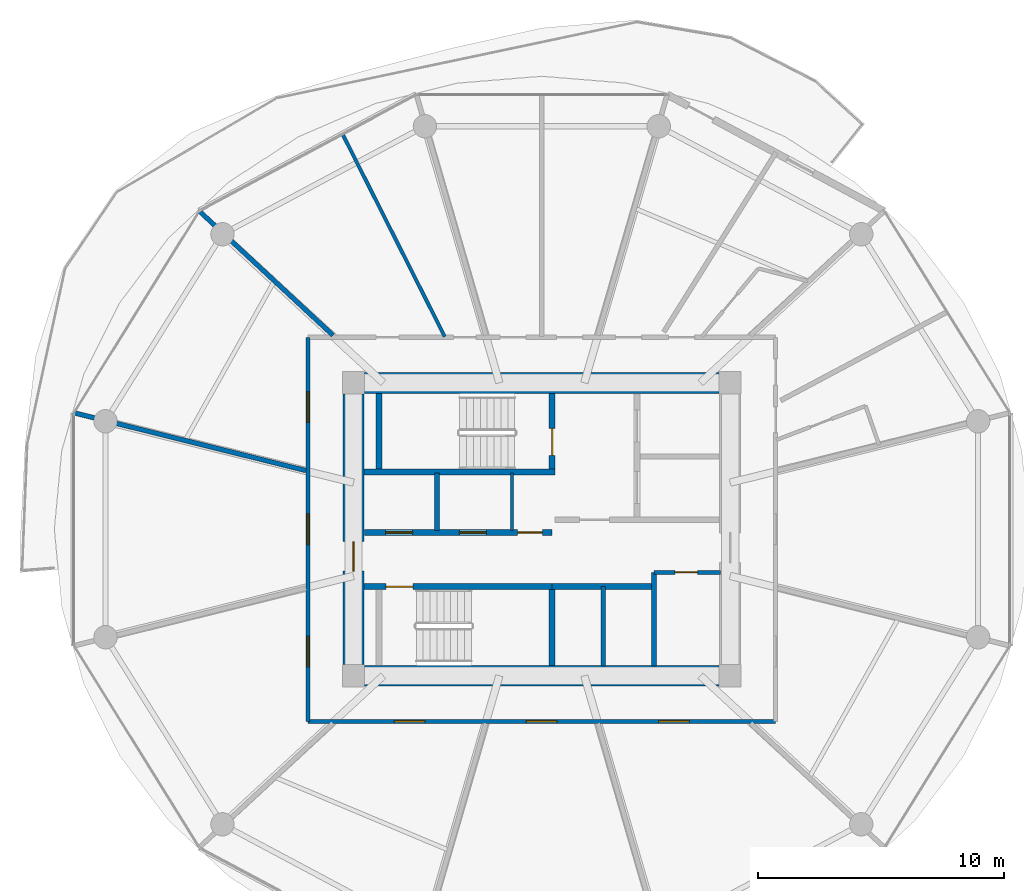
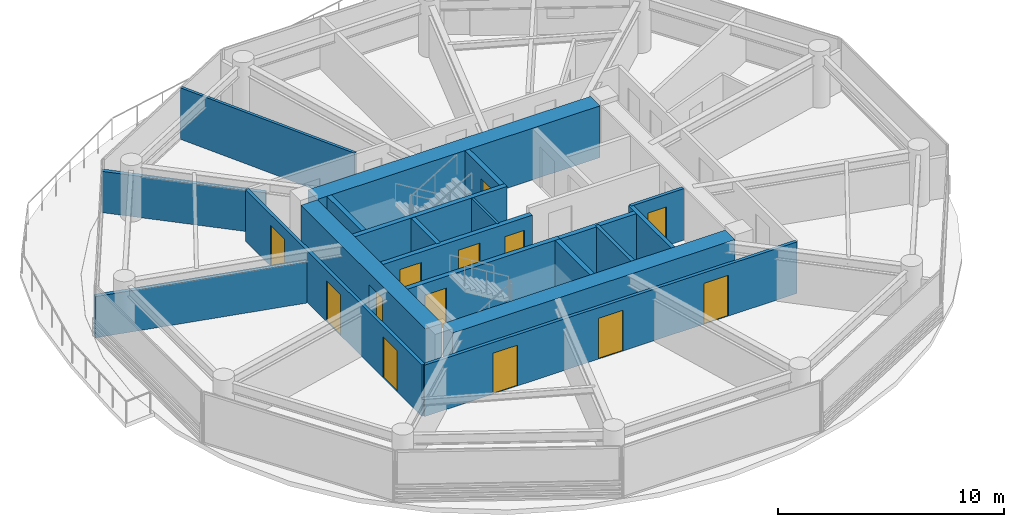
# One storey, part 15 of 25: 20 walls, 13 doors, 13 openings.
"""IFC4 building model written with IfcOpenShell, lengths in metres."""

import ifcopenshell
import ifcopenshell.guid

model = None  # the IFC model being written
_history = None  # IfcOwnerHistory: only IFC2X3 demands one
_inside = {}  # id of a spatial element -> (the spatial element, [elements in it])
_under = {}  # id of a project, library or spatial element -> (it, [spatial elements below it])
_declared = {}  # id of a project -> (the project, [libraries it declares])
_typed = {}  # id of a type object -> (the type object, [elements of that type])
_made_of = {}  # id of a material, layer set ... -> (it, [elements and type objects made of it])


def new_model(schema):
    """Start an empty IFC model of exactly this schema.

    Asked for "IFC4X3", IfcOpenShell would pick the latest addendum, in which some entities
    have other attributes; the version numbers below select the first issue.
    IFC2X3 requires an IfcOwnerHistory on every rooted entity: one is made here for all.
    """
    global model, _history
    if schema == "IFC4X3":
        model = ifcopenshell.file(schema_version=(4, 3, 0, 0))
    else:
        model = ifcopenshell.file(schema=schema)
    _inside.clear()
    _under.clear()
    _declared.clear()
    _typed.clear()
    _made_of.clear()
    _history = None
    if model.schema == "IFC2X3":
        org = make("IfcOrganization", Name="unknown")
        user = make(
            "IfcPersonAndOrganization",
            ThePerson=make("IfcPerson", FamilyName="unknown"),
            TheOrganization=org,
        )
        app = make(
            "IfcApplication",
            ApplicationDeveloper=org,
            Version="unknown",
            ApplicationFullName="unknown",
            ApplicationIdentifier="unknown",
        )
        _history = make(
            "IfcOwnerHistory",
            OwningUser=user,
            OwningApplication=app,
            ChangeAction="ADDED",
            CreationDate=0,
        )
    return model


def make(cls, **values):
    """One entity of the class cls with the attributes given. An attribute that is None is left unset."""
    return model.create_entity(
        cls, **{name: value for name, value in values.items() if value is not None}
    )


def rooted(cls, **values):
    """An entity with a GlobalId (a new one), such as an element, a storey or a relation."""
    return make(cls, GlobalId=ifcopenshell.guid.new(), OwnerHistory=_history, **values)


def si_unit(unit_type, name, prefix=None):
    """IfcSIUnit, for example si_unit("LENGTHUNIT", "METRE", prefix="MILLI")."""
    return make("IfcSIUnit", UnitType=unit_type, Prefix=prefix, Name=name)


def assignment(units):
    """IfcUnitAssignment: the units of a project."""
    return None if units is None else make("IfcUnitAssignment", Units=units)


def point(xyz):
    """IfcCartesianPoint."""
    return None if xyz is None else make("IfcCartesianPoint", Coordinates=xyz)


def direction(xyz):
    """IfcDirection."""
    return None if xyz is None else make("IfcDirection", DirectionRatios=xyz)


def frame(location, z_axis=None, x_axis=None):
    """IfcAxis2Placement3D, a coordinate frame: its origin and axes. An axis left out is left unset."""
    return make(
        "IfcAxis2Placement3D",
        Location=point(location),
        Axis=direction(z_axis),
        RefDirection=direction(x_axis),
    )


def frame_2d(location, x_axis=None):
    """IfcAxis2Placement2D, a coordinate frame in the plane: its origin and x axis."""
    return make(
        "IfcAxis2Placement2D", Location=point(location), RefDirection=direction(x_axis)
    )


def origin():
    """The frame at (0, 0, 0) with its axes left unset."""
    return frame((0.0, 0.0, 0.0))


def place(relative_to, where):
    """IfcLocalPlacement: puts the frame where relative to a parent placement (None: the world)."""
    return make(
        "IfcLocalPlacement", PlacementRelTo=relative_to, RelativePlacement=where
    )


def context(
    kind, dimensions, precision=None, world=None, true_north=None, identifier=None
):
    """IfcGeometricRepresentationContext, for example the 3D "Model" context."""
    return make(
        "IfcGeometricRepresentationContext",
        ContextIdentifier=identifier,
        ContextType=kind,
        CoordinateSpaceDimension=dimensions,
        Precision=precision,
        WorldCoordinateSystem=world,
        TrueNorth=true_north,
    )


def subcontext(parent, identifier, kind, view, scale=None):
    """IfcGeometricRepresentationSubContext, for example "Body" below "Model"."""
    return make(
        "IfcGeometricRepresentationSubContext",
        ContextIdentifier=identifier,
        ContextType=kind,
        ParentContext=parent,
        TargetScale=scale,
        TargetView=view,
    )


def project(units=None, contexts=None):
    """IfcProject with its units and contexts."""
    return rooted(
        "IfcProject",
        Name="project",
        RepresentationContexts=contexts,
        UnitsInContext=assignment(units),
    )


def spatial(cls, under=None, at=None, **own):
    """A site, building, storey or space (cls), placed at a placement, below another one or the project."""
    s = rooted(cls, ObjectPlacement=at, **own)
    if under is not None:
        _under.setdefault(under.id(), (under, []))[1].append(s)
    return s


def profile(cls, at=None, kind="AREA", **sizes):
    """A parametric profile (cls). Its sizes go by their IFC names, for example OverallWidth=200.0."""
    return make(cls, ProfileType=kind, Position=at, **sizes)


def rectangle(**sizes):
    """IfcRectangleProfileDef."""
    return profile("IfcRectangleProfileDef", **sizes)


def extrude(swept, where, along, depth):
    """IfcExtrudedAreaSolid: the profile swept, set in the frame where, extruded along a direction by depth."""
    return make(
        "IfcExtrudedAreaSolid",
        SweptArea=swept,
        Position=where,
        ExtrudedDirection=direction(along),
        Depth=depth,
    )


def shape(context_of_items, identifier, shape_type, items):
    """IfcShapeRepresentation: the items that make up one representation, for example the "Body"."""
    return make(
        "IfcShapeRepresentation",
        ContextOfItems=context_of_items,
        RepresentationIdentifier=identifier,
        RepresentationType=shape_type,
        Items=items,
    )


def source(mapping_origin, context_of_items, identifier, shape_type, items):
    """IfcRepresentationMap: a shape defined once, which mapped items show again and again."""
    return make(
        "IfcRepresentationMap",
        MappingOrigin=mapping_origin,
        MappedRepresentation=shape(context_of_items, identifier, shape_type, items),
    )


def transform(
    local_origin,
    x_axis=None,
    y_axis=None,
    z_axis=None,
    scale=None,
    scale2=None,
    scale3=None,
    uniform=True,
):
    """IfcCartesianTransformationOperator3D, or its non-uniform kind. x_axis, y_axis, z_axis: its Axis1, 2, 3."""
    if uniform:
        return make(
            "IfcCartesianTransformationOperator3D",
            Axis1=direction(x_axis),
            Axis2=direction(y_axis),
            LocalOrigin=point(local_origin),
            Scale=scale,
            Axis3=direction(z_axis),
        )
    return make(
        "IfcCartesianTransformationOperator3DnonUniform",
        Axis1=direction(x_axis),
        Axis2=direction(y_axis),
        LocalOrigin=point(local_origin),
        Scale=scale,
        Axis3=direction(z_axis),
        Scale2=scale2,
        Scale3=scale3,
    )


def mapped(mapping_source, mapping_target):
    """IfcMappedItem: shows the shape of a source again, moved by a transform."""
    return make(
        "IfcMappedItem", MappingSource=mapping_source, MappingTarget=mapping_target
    )


def material(Name=None, Category=None):
    """IfcMaterial."""
    return make("IfcMaterial", Name=Name, Category=Category)


def layer(
    of_material, thickness, ventilated=None, Name=None, Category=None, Priority=None
):
    """IfcMaterialLayer: one layer of a wall or slab, of a material (None: an air gap)."""
    return make(
        "IfcMaterialLayer",
        Material=of_material,
        LayerThickness=thickness,
        IsVentilated=ventilated,
        Name=Name,
        Category=Category,
        Priority=Priority,
    )


def layer_set(layers, Name=None):
    """IfcMaterialLayerSet."""
    return make("IfcMaterialLayerSet", MaterialLayers=layers, LayerSetName=Name)


def made_of(thing, what):
    """Note that an element or type object is made of a material, layer set ...; save() writes the relation."""
    if what is not None:
        _made_of.setdefault(what.id(), (what, []))[1].append(thing)
    return thing


def type_object(cls, material=None, **own):
    """A type object (cls), such as IfcWallType, which elements share."""
    return made_of(rooted(cls, **own), material)


def type_shapes(of_type, sources):
    """Give a type object the sources (RepresentationMaps) that its elements show as mapped items."""
    of_type.RepresentationMaps = sources


def element(
    cls,
    number,
    at=None,
    inside=None,
    cuts=None,
    type_object=None,
    material=None,
    context=None,
    identifier="Body",
    shape_type=None,
    held_by="IfcProductDefinitionShape",
    body=None,
    shapes=None,
    **own,
):
    """One element of the class cls, such as IfcWall. Its Tag is "e" and its number.

    at: its placement. inside: the storey or other place that contains it. cuts: it is an
    opening in that element (IfcRelVoidsElement). A single representation is given by context,
    identifier, shape_type and body (its items); several are given by shapes. held_by: the class
    of the entity that holds the representations. save() writes the other relations.
    """
    e = rooted(cls, Tag="e%d" % number, ObjectPlacement=at, **own)
    if body is not None:
        shapes = [shape(context, identifier, shape_type, body)]
    if shapes is not None:
        e.Representation = make(held_by, Representations=shapes)
    if inside is not None:
        _inside.setdefault(inside.id(), (inside, []))[1].append(e)
    if cuts is not None:
        rooted(
            "IfcRelVoidsElement", RelatingBuildingElement=cuts, RelatedOpeningElement=e
        )
    if type_object is not None:
        _typed.setdefault(type_object.id(), (type_object, []))[1].append(e)
    return made_of(e, material)


def fill(opening, filler):
    """IfcRelFillsElement: the door or window that sits in an opening."""
    return rooted(
        "IfcRelFillsElement",
        RelatingOpeningElement=opening,
        RelatedBuildingElement=filler,
    )


def aggregate(whole, parts):
    """IfcRelAggregates: a whole, such as a stair, and the parts it consists of."""
    return rooted("IfcRelAggregates", RelatingObject=whole, RelatedObjects=parts)


def save(model, path):
    """Write the relations noted so far, then the file.

    IfcRelAggregates (storeys below a building ...), IfcRelContainedInSpatialStructure (elements
    in a storey), IfcRelDefinesByType, IfcRelAssociatesMaterial and IfcRelDeclares: one each for
    every whole, place, type object, material and project.
    """
    for whole, parts in _under.values():
        aggregate(whole, parts)
    for where, things in _inside.values():
        rooted(
            "IfcRelContainedInSpatialStructure",
            RelatedElements=things,
            RelatingStructure=where,
        )
    for kind, things in _typed.values():
        rooted("IfcRelDefinesByType", RelatedObjects=things, RelatingType=kind)
    for what, things in _made_of.values():
        rooted("IfcRelAssociatesMaterial", RelatedObjects=things, RelatingMaterial=what)
    for by, libraries in _declared.values():
        rooted("IfcRelDeclares", RelatingContext=by, RelatedDefinitions=libraries)
    model.write(path)


model = new_model("IFC4")

# Units and contexts
model_context = context("Model", 3, precision=1e-05, world=origin(), true_north=direction((0.0, 1.0)))
body_context = subcontext(model_context, "Body", "Model", "MODEL_VIEW")
ifc_project = project(units=[si_unit("LENGTHUNIT", "METRE"), si_unit("AREAUNIT", "SQUARE_METRE"), si_unit("VOLUMEUNIT", "CUBIC_METRE"), si_unit("PLANEANGLEUNIT", "RADIAN"), si_unit("MASSUNIT", "GRAM", prefix="KILO")], contexts=[model_context])

# Site, building, storey
site_placement = place(None, origin())
site = spatial("IfcSite", under=ifc_project, at=site_placement, CompositionType="ELEMENT")
building_placement = place(site_placement, origin())
building = spatial("IfcBuilding", under=site, at=building_placement, Name="Norrkilde Senior Care Towers", CompositionType="ELEMENT")
storey_placement = place(building_placement, frame((0.0, 0.0, 27.699951171875)))
storey = spatial("IfcBuildingStorey", under=building, at=storey_placement, Name="L07", CompositionType="ELEMENT", Elevation=27.699951171875)

# Walls
ifc_material_1 = material(Name="Concrete C60/75", Category="concrete")
ifc_layer_1 = layer(ifc_material_1, 0.85009765625)
ifc_layer_set_1 = layer_set([ifc_layer_1], Name="Concrete C60/75")
wall_type_1 = type_object("IfcWallType", Name="Core Shear Wall Z1 850", PredefinedType="SHEAR", material=ifc_layer_set_1)
shared_shape_1 = source(origin(), body_context, "Body", "SweptSolid", [
    extrude(rectangle(XDim=14.39990234375, YDim=0.85009765625, at=frame_2d((7.199951171875, 0.0))), origin(), (0.0, 0.0, 1.0), 2.7900390625),
])
for number, where, z_axis, x_axis, name in (
    (1, (-35.199951171875, 5.949951171875, 0.0), (0.0, 0.0, 1.0), (1.0, 0.0, 0.0), "L07 Core W North Shear Wall"),
    (2, (-20.800048828125, -5.949951171875, 0.0), (0.0, 0.0, 1.0), (-1.0, 0.0, 0.0), "L07 Core W South Shear Wall"),
):
    element("IfcWall", number, at=place(storey_placement, frame(where, z_axis=z_axis, x_axis=x_axis)), inside=storey, type_object=wall_type_1, Name=name, PredefinedType="SHEAR", context=body_context, shape_type="MappedRepresentation", body=[
        mapped(shared_shape_1, transform((0.0, 0.0, 0.0), x_axis=(1.0, 0.0, 0.0), y_axis=(0.0, 1.0, 0.0), z_axis=(0.0, 0.0, 1.0), scale=1.0)),
    ])

# Wall, opening, door
shared_shape_2 = source(origin(), body_context, "Body", "SweptSolid", [
    extrude(rectangle(XDim=11.0, YDim=0.85009765625, at=frame_2d((5.5, 0.0))), origin(), (0.0, 0.0, 1.0), 2.7900390625),
])
type_shapes(wall_type_1, [shared_shape_1, shared_shape_2])
wall_1_placement = place(storey_placement, frame((-35.64990234375, -5.5, 0.0), z_axis=(0.0, 0.0, 1.0), x_axis=(0.0, 1.0, 0.0)))
wall_1 = element("IfcWall", 3, at=wall_1_placement, inside=storey, type_object=wall_type_1, Name="L07 Core W West Shear Wall", PredefinedType="SHEAR", context=body_context, shape_type="MappedRepresentation", body=[
    mapped(shared_shape_2, transform((0.0, 0.0, 0.0), x_axis=(1.0, 0.0, 0.0), y_axis=(0.0, 1.0, 0.0), z_axis=(0.0, 0.0, 1.0), scale=1.0)),
])
opening_1_placement = place(wall_1_placement, frame((3.800048828125, 0.0, 0.0)))
opening_1 = element("IfcOpeningElement", 4, at=opening_1_placement, cuts=wall_1, Name="Opening D-04", PredefinedType="OPENING", context=body_context, shape_type="SweptSolid", body=[
    extrude(rectangle(XDim=1.199951171875, YDim=2.14990234375, at=frame_2d((0.60009765625, 1.074951171875))), frame((0.0, 0.43505859375, 0.0), z_axis=(0.0, -1.0, 0.0), x_axis=(1.0, 0.0, 0.0)), (0.0, 0.0, 1.0), 0.8701171875),
])
ifc_material_2 = material(Name="Galvanised Painted Steel", Category="steel")
door_type_1 = type_object("IfcDoorType", Name="Firefighting Lobby Fire Door 1200x2150", OperationType="NOTDEFINED", PredefinedType="DOOR", material=ifc_material_2)
shared_shape_3 = source(origin(), body_context, "Body", "SweptSolid", [
    extrude(rectangle(XDim=1.199951171875, YDim=2.14990234375, at=frame_2d((0.60009765625, 1.074951171875))), frame((0.0, 0.02490234375, 0.0), z_axis=(0.0, -1.0, 0.0), x_axis=(1.0, 0.0, 0.0)), (0.0, 0.0, 1.0), 0.050048828125),
])
type_shapes(door_type_1, [shared_shape_3])
door_1_placement = place(opening_1_placement, frame((1.199951171875, 0.0, 0.0), z_axis=(0.0, 0.0, 1.0), x_axis=(-1.0, 0.0, 0.0)))
door_1 = element("IfcDoor", 5, at=door_1_placement, inside=storey, type_object=door_type_1, Name="L07 Core W West Portal Door", OperationType="SINGLE_SWING_LEFT", OverallHeight=2.14990234375, OverallWidth=1.199951171875, PredefinedType="DOOR", context=body_context, shape_type="MappedRepresentation", body=[
    mapped(shared_shape_3, transform((0.0, 0.0, 0.0), x_axis=(1.0, 0.0, 0.0), y_axis=(0.0, 1.0, 0.0), z_axis=(0.0, 0.0, 1.0), scale=1.0)),
])
fill(opening_1, door_1)

# Wall
ifc_material_3 = material(Name="Concrete C45/55", Category="concrete")
ifc_layer_2 = layer(ifc_material_3, 0.239990234375)
ifc_layer_set_2 = layer_set([ifc_layer_2], Name="Concrete C45/55")
wall_type_2 = type_object("IfcWallType", Name="Shaft and Stair Enclosure Wall 240", PredefinedType="PARTITIONING", material=ifc_layer_set_2)
shared_shape_4 = source(origin(), body_context, "Body", "SweptSolid", [
    extrude(rectangle(XDim=7.76513671875, YDim=0.239990234375, at=frame_2d((3.882568359375, 0.0))), origin(), (0.0, 0.0, 1.0), 2.7900390625),
])
wall_2_placement = place(storey_placement, frame((-35.22509765625, 2.330078125, 0.0), z_axis=(0.0, 0.0, 1.0), x_axis=(1.0, 0.0, 0.0)))
element("IfcWall", 6, at=wall_2_placement, inside=storey, type_object=wall_type_2, Name="WL-INT-L07-W-ST1S", PredefinedType="PARTITIONING", context=body_context, shape_type="MappedRepresentation", body=[
    mapped(shared_shape_4, transform((0.0, 0.0, 0.0), x_axis=(1.0, 0.0, 0.0), y_axis=(0.0, 1.0, 0.0), z_axis=(0.0, 0.0, 1.0), scale=1.0)),
])

# Wall, opening, door
wall_3_placement = place(storey_placement, frame((-35.22509765625, -2.330078125, 0.0), z_axis=(0.0, 0.0, 1.0), x_axis=(1.0, 0.0, 0.0)))
wall_3 = element("IfcWall", 7, at=wall_3_placement, inside=storey, type_object=wall_type_2, Name="WL-INT-L07-W-ST2N", PredefinedType="PARTITIONING", context=body_context, shape_type="MappedRepresentation", body=[
    mapped(shared_shape_4, transform((0.0, 0.0, 0.0), x_axis=(1.0, 0.0, 0.0), y_axis=(0.0, 1.0, 0.0), z_axis=(0.0, 0.0, 1.0), scale=1.0)),
])
opening_2_placement = place(wall_3_placement, frame((0.885009765625, 0.0, 0.0)))
opening_2 = element("IfcOpeningElement", 8, at=opening_2_placement, cuts=wall_3, Name="Opening D-03", PredefinedType="OPENING", context=body_context, shape_type="SweptSolid", body=[
    extrude(rectangle(XDim=1.10009765625, YDim=2.14990234375, at=frame_2d((0.550048828125, 1.074951171875))), frame((0.0, 0.1298828125, 0.0), z_axis=(0.0, -1.0, 0.0), x_axis=(1.0, 0.0, 0.0)), (0.0, 0.0, 1.0), 0.260009765625),
])
door_type_2 = type_object("IfcDoorType", Name="Stairwell Protected Fire Door 1100x2150", OperationType="NOTDEFINED", PredefinedType="DOOR", material=ifc_material_2)
shared_shape_5 = source(origin(), body_context, "Body", "SweptSolid", [
    extrude(rectangle(XDim=1.10009765625, YDim=2.14990234375, at=frame_2d((0.550048828125, 1.074951171875))), frame((0.0, 0.02490234375, 0.0), z_axis=(0.0, -1.0, 0.0), x_axis=(1.0, 0.0, 0.0)), (0.0, 0.0, 1.0), 0.050048828125),
])
type_shapes(door_type_2, [shared_shape_5])
door_2_placement = place(opening_2_placement, frame((1.10009765625, 0.0, 0.0), z_axis=(0.0, 0.0, 1.0), x_axis=(-1.0, 0.0, 0.0)))
door_2 = element("IfcDoor", 9, at=door_2_placement, inside=storey, type_object=door_type_2, Name="L07 Stair W2 Fire Door", OperationType="SINGLE_SWING_RIGHT", OverallHeight=2.14990234375, OverallWidth=1.10009765625, PredefinedType="DOOR", context=body_context, shape_type="MappedRepresentation", body=[
    mapped(shared_shape_5, transform((0.0, 0.0, 0.0), x_axis=(1.0, 0.0, 0.0), y_axis=(0.0, 1.0, 0.0), z_axis=(0.0, 0.0, 1.0), scale=1.0)),
])
fill(opening_2, door_2)

# Wall
shared_shape_6 = source(origin(), body_context, "Body", "SweptSolid", [
    extrude(rectangle(XDim=3.074951171875, YDim=0.239990234375, at=frame_2d((1.53759765625, 0.0))), origin(), (0.0, 0.0, 1.0), 2.7900390625),
])
type_shapes(wall_type_2, [shared_shape_4, shared_shape_6])
wall_4_placement = place(storey_placement, frame((-34.6201171875, 2.449951171875, 0.0), z_axis=(0.0, 0.0, 1.0), x_axis=(0.0, 1.0, 0.0)))
element("IfcWall", 10, at=wall_4_placement, inside=storey, type_object=wall_type_2, Name="WL-INT-L07-W-ST1W", PredefinedType="PARTITIONING", context=body_context, shape_type="MappedRepresentation", body=[
    mapped(shared_shape_6, transform((0.0, 0.0, 0.0), x_axis=(1.0, 0.0, 0.0), y_axis=(0.0, 1.0, 0.0), z_axis=(0.0, 0.0, 1.0), scale=1.0)),
])

# Wall, opening, door
wall_5_placement = place(storey_placement, frame((-27.580078125, 2.449951171875, 0.0), z_axis=(0.0, 0.0, 1.0), x_axis=(0.0, 1.0, 0.0)))
wall_5 = element("IfcWall", 11, at=wall_5_placement, inside=storey, type_object=wall_type_2, Name="WL-INT-L07-W-ST1E", PredefinedType="PARTITIONING", context=body_context, shape_type="MappedRepresentation", body=[
    mapped(shared_shape_6, transform((0.0, 0.0, 0.0), x_axis=(1.0, 0.0, 0.0), y_axis=(0.0, 1.0, 0.0), z_axis=(0.0, 0.0, 1.0), scale=1.0)),
])
opening_3_placement = place(wall_5_placement, frame((0.550048828125, 0.0, 0.0)))
opening_3 = element("IfcOpeningElement", 12, at=opening_3_placement, cuts=wall_5, Name="Opening D-03", PredefinedType="OPENING", context=body_context, shape_type="SweptSolid", body=[
    extrude(rectangle(XDim=1.10009765625, YDim=2.14990234375, at=frame_2d((0.550048828125, 1.074951171875))), frame((0.0, 0.1298828125, 0.0), z_axis=(0.0, -1.0, 0.0), x_axis=(1.0, 0.0, 0.0)), (0.0, 0.0, 1.0), 0.260009765625),
])
door_3_placement = place(opening_3_placement, origin())
door_3 = element("IfcDoor", 13, at=door_3_placement, inside=storey, type_object=door_type_2, Name="L07 Stair W1 Fire Door", OperationType="SINGLE_SWING_LEFT", OverallHeight=2.14990234375, OverallWidth=1.10009765625, PredefinedType="DOOR", context=body_context, shape_type="MappedRepresentation", body=[
    mapped(shared_shape_5, transform((0.0, 0.0, 0.0), x_axis=(1.0, 0.0, 0.0), y_axis=(0.0, 1.0, 0.0), z_axis=(0.0, 0.0, 1.0), scale=1.0)),
])
fill(opening_3, door_3)

# Wall
wall_6_placement = place(storey_placement, frame((-27.580078125, -5.52490234375, 0.0), z_axis=(0.0, 0.0, 1.0), x_axis=(0.0, 1.0, 0.0)))
element("IfcWall", 14, at=wall_6_placement, inside=storey, type_object=wall_type_2, Name="WL-INT-L07-W-ST2E", PredefinedType="PARTITIONING", context=body_context, shape_type="MappedRepresentation", body=[
    mapped(shared_shape_6, transform((0.0, 0.0, 0.0), x_axis=(1.0, 0.0, 0.0), y_axis=(0.0, 1.0, 0.0), z_axis=(0.0, 0.0, 1.0), scale=1.0)),
])

# Wall, openings, doors
ifc_layer_3 = layer(ifc_material_3, 0.239990234375)
ifc_layer_set_3 = layer_set([ifc_layer_3], Name="Concrete C45/55")
wall_type_3 = type_object("IfcWallType", Name="Lift and Plant Rated Enclosure Partition 240", PredefinedType="PARTITIONING", material=ifc_layer_set_3)
shared_shape_7 = source(origin(), body_context, "Body", "SweptSolid", [
    extrude(rectangle(XDim=7.619873046875, YDim=0.239990234375, at=frame_2d((3.81005859375, 0.0))), origin(), (0.0, 0.0, 1.0), 2.775146484375),
])
wall_7_placement = place(storey_placement, frame((-35.199951171875, -0.1298828125, 0.0), z_axis=(0.0, 0.0, 1.0), x_axis=(1.0, 0.0, 0.0)))
wall_7 = element("IfcWall", 15, at=wall_7_placement, inside=storey, type_object=wall_type_3, Name="WL-INT-L07-W-PKAS", PredefinedType="PARTITIONING", context=body_context, shape_type="MappedRepresentation", body=[
    mapped(shared_shape_7, transform((0.0, 0.0, 0.0), x_axis=(1.0, 0.0, 0.0), y_axis=(0.0, 1.0, 0.0), z_axis=(0.0, 0.0, 1.0), scale=1.0)),
])
opening_4_placement = place(wall_7_placement, frame((6.219970703125, 0.0, 0.0)))
opening_4 = element("IfcOpeningElement", 16, at=opening_4_placement, cuts=wall_7, Name="Opening D-10", PredefinedType="OPENING", context=body_context, shape_type="SweptSolid", body=[
    extrude(rectangle(XDim=1.0, YDim=2.10009765625, at=frame_2d((0.5, 1.050048828125))), frame((0.0, 0.1298828125, 0.0), z_axis=(0.0, -1.0, 0.0), x_axis=(1.0, 0.0, 0.0)), (0.0, 0.0, 1.0), 0.260009765625),
])
opening_5_placement = place(wall_7_placement, frame((0.85009765625, 0.0, 0.0)))
opening_5 = element("IfcOpeningElement", 17, at=opening_5_placement, cuts=wall_7, Name="Opening LD-01", PredefinedType="OPENING", context=body_context, shape_type="SweptSolid", body=[
    extrude(rectangle(XDim=1.10009765625, YDim=2.199951171875, at=frame_2d((0.550048828125, 1.10009765625))), frame((0.0, 0.1298828125, 0.0), z_axis=(0.0, -1.0, 0.0), x_axis=(1.0, 0.0, 0.0)), (0.0, 0.0, 1.0), 0.260009765625),
])
opening_6_placement = place(wall_7_placement, frame((3.85009765625, 0.0, 0.0)))
opening_6 = element("IfcOpeningElement", 18, at=opening_6_placement, cuts=wall_7, Name="Opening LD-01", PredefinedType="OPENING", context=body_context, shape_type="SweptSolid", body=[
    extrude(rectangle(XDim=1.10009765625, YDim=2.199951171875, at=frame_2d((0.550048828125, 1.10009765625))), frame((0.0, 0.1298828125, 0.0), z_axis=(0.0, -1.0, 0.0), x_axis=(1.0, 0.0, 0.0)), (0.0, 0.0, 1.0), 0.260009765625),
])
door_type_3 = type_object("IfcDoorType", Name="Plant and Riser Rated Door 1000x2100", OperationType="NOTDEFINED", PredefinedType="DOOR", material=ifc_material_2)
shared_shape_8 = source(origin(), body_context, "Body", "SweptSolid", [
    extrude(rectangle(XDim=1.0, YDim=2.10009765625, at=frame_2d((0.5, 1.050048828125))), frame((0.0, 0.02490234375, 0.0), z_axis=(0.0, -1.0, 0.0), x_axis=(1.0, 0.0, 0.0)), (0.0, 0.0, 1.0), 0.050048828125),
])
type_shapes(door_type_3, [shared_shape_8])
door_4_placement = place(opening_4_placement, frame((1.0, 0.0, 0.0), z_axis=(0.0, 0.0, 1.0), x_axis=(-1.0, 0.0, 0.0)))
door_4 = element("IfcDoor", 19, at=door_4_placement, inside=storey, type_object=door_type_3, Name="L07 Electrical Riser W Door", OperationType="SINGLE_SWING_LEFT", OverallHeight=2.10009765625, OverallWidth=1.0, PredefinedType="DOOR", context=body_context, shape_type="MappedRepresentation", body=[
    mapped(shared_shape_8, transform((0.0, 0.0, 0.0), x_axis=(1.0, 0.0, 0.0), y_axis=(0.0, 1.0, 0.0), z_axis=(0.0, 0.0, 1.0), scale=1.0)),
])
fill(opening_4, door_4)
ifc_material_4 = material(Name="Stainless Steel", Category="steel")
door_type_4 = type_object("IfcDoorType", Name="Lift Landing Sliding Door 1100x2200", OperationType="NOTDEFINED", PredefinedType="DOOR", material=ifc_material_4)
shared_shape_9 = source(origin(), body_context, "Body", "SweptSolid", [
    extrude(rectangle(XDim=1.10009765625, YDim=2.199951171875, at=frame_2d((0.550048828125, 1.10009765625))), frame((0.0, 0.02490234375, 0.0), z_axis=(0.0, -1.0, 0.0), x_axis=(1.0, 0.0, 0.0)), (0.0, 0.0, 1.0), 0.050048828125),
])
type_shapes(door_type_4, [shared_shape_9])
door_5_placement = place(opening_5_placement, origin())
door_5 = element("IfcDoor", 20, at=door_5_placement, inside=storey, type_object=door_type_4, Name="L07 Passenger Lift W1 Landing Door", OperationType="SLIDING_TO_LEFT", OverallHeight=2.199951171875, OverallWidth=1.10009765625, PredefinedType="DOOR", context=body_context, shape_type="MappedRepresentation", body=[
    mapped(shared_shape_9, transform((0.0, 0.0, 0.0), x_axis=(1.0, 0.0, 0.0), y_axis=(0.0, 1.0, 0.0), z_axis=(0.0, 0.0, 1.0), scale=1.0)),
])
fill(opening_5, door_5)
door_6_placement = place(opening_6_placement, origin())
door_6 = element("IfcDoor", 21, at=door_6_placement, inside=storey, type_object=door_type_4, Name="L07 Passenger Lift W2 Landing Door", OperationType="SLIDING_TO_RIGHT", OverallHeight=2.199951171875, OverallWidth=1.10009765625, PredefinedType="DOOR", context=body_context, shape_type="MappedRepresentation", body=[
    mapped(shared_shape_9, transform((0.0, 0.0, 0.0), x_axis=(1.0, 0.0, 0.0), y_axis=(0.0, 1.0, 0.0), z_axis=(0.0, 0.0, 1.0), scale=1.0)),
])
fill(opening_6, door_6)

# Walls
ifc_material_5 = material(Name="Gypsum Acoustic Board")
ifc_layer_4 = layer(ifc_material_5, 0.114990234375)
ifc_layer_set_4 = layer_set([ifc_layer_4], Name="Gypsum Acoustic Board")
wall_type_4 = type_object("IfcWallType", Name="Internal Room Partition 115", PredefinedType="PARTITIONING", material=ifc_layer_set_4)
shared_shape_10 = source(origin(), body_context, "Body", "SweptSolid", [
    extrude(rectangle(XDim=2.330078125, YDim=0.114990234375, at=frame_2d((1.1650390625, 0.0))), origin(), (0.0, 0.0, 1.0), 2.775146484375),
])
type_shapes(wall_type_4, [shared_shape_10])
wall_8_placement = place(storey_placement, frame((-29.2099609375, -0.050048828125, 0.0), z_axis=(0.0, 0.0, 1.0), x_axis=(0.0, 1.0, 0.0)))
element("IfcWall", 22, at=wall_8_placement, inside=storey, type_object=wall_type_4, Name="WL-INT-L07-W-RISW", PredefinedType="PARTITIONING", context=body_context, shape_type="MappedRepresentation", body=[
    mapped(shared_shape_10, transform((0.0, 0.0, 0.0), x_axis=(1.0, 0.0, 0.0), y_axis=(0.0, 1.0, 0.0), z_axis=(0.0, 0.0, 1.0), scale=1.0)),
])
ifc_layer_5 = layer(ifc_material_3, 0.199951171875)
ifc_layer_set_5 = layer_set([ifc_layer_5], Name="Concrete C45/55")
wall_type_5 = type_object("IfcWallType", Name="Shaft Division and Plant Partition 200", PredefinedType="PARTITIONING", material=ifc_layer_set_5)
shared_shape_11 = source(origin(), body_context, "Body", "SweptSolid", [
    extrude(rectangle(XDim=2.330078125, YDim=0.199951171875, at=frame_2d((1.1650390625, 0.0))), origin(), (0.0, 0.0, 1.0), 2.775146484375),
])
wall_9_placement = place(storey_placement, frame((-32.25, -0.050048828125, 0.0), z_axis=(0.0, 0.0, 1.0), x_axis=(0.0, 1.0, 0.0)))
element("IfcWall", 23, at=wall_9_placement, inside=storey, type_object=wall_type_5, Name="WL-INT-L07-W-PL12", PredefinedType="PARTITIONING", context=body_context, shape_type="MappedRepresentation", body=[
    mapped(shared_shape_11, transform((0.0, 0.0, 0.0), x_axis=(1.0, 0.0, 0.0), y_axis=(0.0, 1.0, 0.0), z_axis=(0.0, 0.0, 1.0), scale=1.0)),
])
shared_shape_12 = source(origin(), body_context, "Body", "SweptSolid", [
    extrude(rectangle(XDim=3.800048828125, YDim=0.199951171875, at=frame_2d((1.89990234375, 0.0))), origin(), (0.0, 0.0, 1.0), 2.775146484375),
])
type_shapes(wall_type_5, [shared_shape_11, shared_shape_12])
wall_10_placement = place(storey_placement, frame((-23.449951171875, -5.550048828125, 0.0), z_axis=(0.0, 0.0, 1.0), x_axis=(0.0, 1.0, 0.0)))
element("IfcWall", 24, at=wall_10_placement, inside=storey, type_object=wall_type_5, Name="WL-INT-L07-W-PKBE", PredefinedType="PARTITIONING", context=body_context, shape_type="MappedRepresentation", body=[
    mapped(shared_shape_12, transform((0.0, 0.0, 0.0), x_axis=(1.0, 0.0, 0.0), y_axis=(0.0, 1.0, 0.0), z_axis=(0.0, 0.0, 1.0), scale=1.0)),
])
shared_shape_13 = source(origin(), body_context, "Body", "SweptSolid", [
    extrude(rectangle(XDim=4.130126953125, YDim=0.239990234375, at=frame_2d((2.06494140625, 0.0))), origin(), (0.0, 0.0, 1.0), 2.775146484375),
])
type_shapes(wall_type_3, [shared_shape_7, shared_shape_13])
wall_11_placement = place(storey_placement, frame((-27.580078125, -2.330078125, 0.0), z_axis=(0.0, 0.0, 1.0), x_axis=(1.0, 0.0, 0.0)))
element("IfcWall", 25, at=wall_11_placement, inside=storey, type_object=wall_type_3, Name="WL-INT-L07-W-PKBN", PredefinedType="PARTITIONING", context=body_context, shape_type="MappedRepresentation", body=[
    mapped(shared_shape_13, transform((0.0, 0.0, 0.0), x_axis=(1.0, 0.0, 0.0), y_axis=(0.0, 1.0, 0.0), z_axis=(0.0, 0.0, 1.0), scale=1.0)),
])
ifc_layer_6 = layer(ifc_material_3, 0.179931640625)
ifc_layer_set_6 = layer_set([ifc_layer_6], Name="Concrete C45/55")
wall_type_6 = type_object("IfcWallType", Name="Hoistway Division Rated Partition 180", PredefinedType="PARTITIONING", material=ifc_layer_set_6)
shared_shape_14 = source(origin(), body_context, "Body", "SweptSolid", [
    extrude(rectangle(XDim=3.219970703125, YDim=0.179931640625, at=frame_2d((1.60986328125, 0.0))), origin(), (0.0, 0.0, 1.0), 2.775146484375),
])
type_shapes(wall_type_6, [shared_shape_14])
wall_12_placement = place(storey_placement, frame((-25.5, -5.550048828125, 0.0), z_axis=(0.0, 0.0, 1.0), x_axis=(0.0, 1.0, 0.0)))
element("IfcWall", 26, at=wall_12_placement, inside=storey, type_object=wall_type_6, Name="WL-INT-L07-W-PL34", PredefinedType="PARTITIONING", context=body_context, shape_type="MappedRepresentation", body=[
    mapped(shared_shape_14, transform((0.0, 0.0, 0.0), x_axis=(1.0, 0.0, 0.0), y_axis=(0.0, 1.0, 0.0), z_axis=(0.0, 0.0, 1.0), scale=1.0)),
])

# Wall, opening, door
ifc_layer_7 = layer(ifc_material_5, 0.1650390625)
ifc_layer_set_7 = layer_set([ifc_layer_7], Name="Gypsum Acoustic Board")
wall_type_7 = type_object("IfcWallType", Name="Corridor Rated Partition 165", PredefinedType="PARTITIONING", material=ifc_layer_set_7)
shared_shape_15 = source(origin(), body_context, "Body", "SweptSolid", [
    extrude(rectangle(XDim=2.699951171875, YDim=0.1650390625, at=frame_2d((1.35009765625, 0.0))), origin(), (0.0, 0.0, 1.0), 2.775146484375),
])
wall_13_placement = place(storey_placement, frame((-23.449951171875, -1.75, 0.0), z_axis=(0.0, 0.0, 1.0), x_axis=(1.0, 0.0, 0.0)))
wall_13 = element("IfcWall", 27, at=wall_13_placement, inside=storey, type_object=wall_type_7, Name="WL-INT-L07-W-CSN", PredefinedType="PARTITIONING", context=body_context, shape_type="MappedRepresentation", body=[
    mapped(shared_shape_15, transform((0.0, 0.0, 0.0), x_axis=(1.0, 0.0, 0.0), y_axis=(0.0, 1.0, 0.0), z_axis=(0.0, 0.0, 1.0), scale=1.0)),
])
opening_7_placement = place(wall_13_placement, frame((0.85009765625, 0.0, 0.0)))
opening_7 = element("IfcOpeningElement", 28, at=opening_7_placement, cuts=wall_13, Name="Opening D-12", PredefinedType="OPENING", context=body_context, shape_type="SweptSolid", body=[
    extrude(rectangle(XDim=0.925048828125, YDim=2.10009765625, at=frame_2d((0.46240234375, 1.050048828125))), frame((0.0, 0.092529296875, 0.0), z_axis=(0.0, -1.0, 0.0), x_axis=(1.0, 0.0, 0.0)), (0.0, 0.0, 1.0), 0.18505859375),
])
door_type_5 = type_object("IfcDoorType", Name="Core Wet Room Rated Door 925x2100", OperationType="NOTDEFINED", PredefinedType="DOOR", material=ifc_material_2)
shared_shape_16 = source(origin(), body_context, "Body", "SweptSolid", [
    extrude(rectangle(XDim=0.925048828125, YDim=2.10009765625, at=frame_2d((0.46240234375, 1.050048828125))), frame((0.0, 0.02490234375, 0.0), z_axis=(0.0, -1.0, 0.0), x_axis=(1.0, 0.0, 0.0)), (0.0, 0.0, 1.0), 0.050048828125),
])
type_shapes(door_type_5, [shared_shape_16])
door_7_placement = place(opening_7_placement, origin())
door_7 = element("IfcDoor", 29, at=door_7_placement, inside=storey, type_object=door_type_5, Name="L07 Core Utility W Door", OperationType="SINGLE_SWING_LEFT", OverallHeight=2.10009765625, OverallWidth=0.925048828125, PredefinedType="DOOR", context=body_context, shape_type="MappedRepresentation", body=[
    mapped(shared_shape_16, transform((0.0, 0.0, 0.0), x_axis=(1.0, 0.0, 0.0), y_axis=(0.0, 1.0, 0.0), z_axis=(0.0, 0.0, 1.0), scale=1.0)),
])
fill(opening_7, door_7)

# Wall, openings, doors
shared_shape_17 = source(origin(), body_context, "Body", "SweptSolid", [
    extrude(rectangle(XDim=19.0, YDim=0.1650390625, at=frame_2d((9.5, 0.0))), origin(), (0.0, 0.0, 1.0), 2.775146484375),
])
wall_14_placement = place(storey_placement, frame((-18.5, -7.800048828125, 0.0), z_axis=(0.0, 0.0, 1.0), x_axis=(-1.0, 0.0, 0.0)))
wall_14 = element("IfcWall", 30, at=wall_14_placement, inside=storey, type_object=wall_type_7, Name="WL-INT-L07-W-CRW-S-0", PredefinedType="PARTITIONING", context=body_context, shape_type="MappedRepresentation", body=[
    mapped(shared_shape_17, transform((0.0, 0.0, 0.0), x_axis=(1.0, 0.0, 0.0), y_axis=(0.0, 1.0, 0.0), z_axis=(0.0, 0.0, 1.0), scale=1.0)),
])
opening_8_placement = place(wall_14_placement, frame((14.244384765625, 0.0, 0.0)))
opening_8 = element("IfcOpeningElement", 31, at=opening_8_placement, cuts=wall_14, Name="Opening D-05", PredefinedType="OPENING", context=body_context, shape_type="SweptSolid", body=[
    extrude(rectangle(XDim=1.25, YDim=2.199951171875, at=frame_2d((0.625, 1.10009765625))), frame((0.0, 0.092529296875, 0.0), z_axis=(0.0, -1.0, 0.0), x_axis=(1.0, 0.0, 0.0)), (0.0, 0.0, 1.0), 0.18505859375),
])
opening_9_placement = place(wall_14_placement, frame((8.875, 0.0, 0.0)))
opening_9 = element("IfcOpeningElement", 32, at=opening_9_placement, cuts=wall_14, Name="Opening D-05", PredefinedType="OPENING", context=body_context, shape_type="SweptSolid", body=[
    extrude(rectangle(XDim=1.25, YDim=2.199951171875, at=frame_2d((0.625, 1.10009765625))), frame((0.0, 0.092529296875, 0.0), z_axis=(0.0, -1.0, 0.0), x_axis=(1.0, 0.0, 0.0)), (0.0, 0.0, 1.0), 0.18505859375),
])
opening_10_placement = place(wall_14_placement, frame((3.505615234375, 0.0, 0.0)))
opening_10 = element("IfcOpeningElement", 33, at=opening_10_placement, cuts=wall_14, Name="Opening D-05", PredefinedType="OPENING", context=body_context, shape_type="SweptSolid", body=[
    extrude(rectangle(XDim=1.25, YDim=2.199951171875, at=frame_2d((0.625, 1.10009765625))), frame((0.0, 0.092529296875, 0.0), z_axis=(0.0, -1.0, 0.0), x_axis=(1.0, 0.0, 0.0)), (0.0, 0.0, 1.0), 0.18505859375),
])
ifc_material_6 = material(Name="Nordic Ash Timber", Category="wood")
door_type_6 = type_object("IfcDoorType", Name="Care Bedroom Bariatric Door 1250x2200", OperationType="NOTDEFINED", PredefinedType="DOOR", material=ifc_material_6)
shared_shape_18 = source(origin(), body_context, "Body", "SweptSolid", [
    extrude(rectangle(XDim=1.25, YDim=2.199951171875, at=frame_2d((0.625, 1.10009765625))), frame((0.0, 0.02490234375, 0.0), z_axis=(0.0, -1.0, 0.0), x_axis=(1.0, 0.0, 0.0)), (0.0, 0.0, 1.0), 0.050048828125),
])
type_shapes(door_type_6, [shared_shape_18])
door_8_placement = place(opening_8_placement, frame((1.25, 0.0, 0.0), z_axis=(0.0, 0.0, 1.0), x_axis=(-1.0, 0.0, 0.0)))
door_8 = element("IfcDoor", 34, at=door_8_placement, inside=storey, type_object=door_type_6, Name="L07 Household Communal Dining Salon Door", OperationType="SINGLE_SWING_RIGHT", OverallHeight=2.199951171875, OverallWidth=1.25, PredefinedType="DOOR", context=body_context, shape_type="MappedRepresentation", body=[
    mapped(shared_shape_18, transform((0.0, 0.0, 0.0), x_axis=(1.0, 0.0, 0.0), y_axis=(0.0, 1.0, 0.0), z_axis=(0.0, 0.0, 1.0), scale=1.0)),
])
fill(opening_8, door_8)
door_9_placement = place(opening_9_placement, frame((1.25, 0.0, 0.0), z_axis=(0.0, 0.0, 1.0), x_axis=(-1.0, 0.0, 0.0)))
door_9 = element("IfcDoor", 35, at=door_9_placement, inside=storey, type_object=door_type_6, Name="L07 Resident Family Conference Room Door", OperationType="SINGLE_SWING_LEFT", OverallHeight=2.199951171875, OverallWidth=1.25, PredefinedType="DOOR", context=body_context, shape_type="MappedRepresentation", body=[
    mapped(shared_shape_18, transform((0.0, 0.0, 0.0), x_axis=(1.0, 0.0, 0.0), y_axis=(0.0, 1.0, 0.0), z_axis=(0.0, 0.0, 1.0), scale=1.0)),
])
fill(opening_9, door_9)
door_10_placement = place(opening_10_placement, frame((1.25, 0.0, 0.0), z_axis=(0.0, 0.0, 1.0), x_axis=(-1.0, 0.0, 0.0)))
door_10 = element("IfcDoor", 36, at=door_10_placement, inside=storey, type_object=door_type_6, Name="L07 Geriatric Rehabilitation Clinic Door", OperationType="SINGLE_SWING_RIGHT", OverallHeight=2.199951171875, OverallWidth=1.25, PredefinedType="DOOR", context=body_context, shape_type="MappedRepresentation", body=[
    mapped(shared_shape_18, transform((0.0, 0.0, 0.0), x_axis=(1.0, 0.0, 0.0), y_axis=(0.0, 1.0, 0.0), z_axis=(0.0, 0.0, 1.0), scale=1.0)),
])
fill(opening_10, door_10)

shared_shape_19 = source(origin(), body_context, "Body", "SweptSolid", [
    extrude(rectangle(XDim=15.60009765625, YDim=0.1650390625, at=frame_2d((7.800048828125, 0.0))), origin(), (0.0, 0.0, 1.0), 2.775146484375),
])
type_shapes(wall_type_7, [shared_shape_15, shared_shape_17, shared_shape_19])
wall_15_placement = place(storey_placement, frame((-37.5, -7.800048828125, 0.0), z_axis=(0.0, 0.0, 1.0), x_axis=(0.0, 1.0, 0.0)))
wall_15 = element("IfcWall", 37, at=wall_15_placement, inside=storey, type_object=wall_type_7, Name="WL-INT-L07-W-CRW-W-0", PredefinedType="PARTITIONING", context=body_context, shape_type="MappedRepresentation", body=[
    mapped(shared_shape_19, transform((0.0, 0.0, 0.0), x_axis=(1.0, 0.0, 0.0), y_axis=(0.0, 1.0, 0.0), z_axis=(0.0, 0.0, 1.0), scale=1.0)),
])
opening_11_placement = place(wall_15_placement, frame((12.141357421875, 0.0, 0.0)))
opening_11 = element("IfcOpeningElement", 38, at=opening_11_placement, cuts=wall_15, Name="Opening D-05", PredefinedType="OPENING", context=body_context, shape_type="SweptSolid", body=[
    extrude(rectangle(XDim=1.25, YDim=2.199951171875, at=frame_2d((0.625, 1.10009765625))), frame((0.0, 0.092529296875, 0.0), z_axis=(0.0, -1.0, 0.0), x_axis=(1.0, 0.0, 0.0)), (0.0, 0.0, 1.0), 0.18505859375),
])
opening_12_placement = place(wall_15_placement, frame((7.175048828125, 0.0, 0.0)))
opening_12 = element("IfcOpeningElement", 39, at=opening_12_placement, cuts=wall_15, Name="Opening D-05", PredefinedType="OPENING", context=body_context, shape_type="SweptSolid", body=[
    extrude(rectangle(XDim=1.25, YDim=2.199951171875, at=frame_2d((0.625, 1.10009765625))), frame((0.0, 0.092529296875, 0.0), z_axis=(0.0, -1.0, 0.0), x_axis=(1.0, 0.0, 0.0)), (0.0, 0.0, 1.0), 0.18505859375),
])
opening_13_placement = place(wall_15_placement, frame((2.20849609375, 0.0, 0.0)))
opening_13 = element("IfcOpeningElement", 40, at=opening_13_placement, cuts=wall_15, Name="Opening D-05", PredefinedType="OPENING", context=body_context, shape_type="SweptSolid", body=[
    extrude(rectangle(XDim=1.25, YDim=2.199951171875, at=frame_2d((0.625, 1.10009765625))), frame((0.0, 0.092529296875, 0.0), z_axis=(0.0, -1.0, 0.0), x_axis=(1.0, 0.0, 0.0)), (0.0, 0.0, 1.0), 0.18505859375),
])
door_11_placement = place(opening_11_placement, frame((1.25, 0.0, 0.0), z_axis=(0.0, 0.0, 1.0), x_axis=(-1.0, 0.0, 0.0)))
door_11 = element("IfcDoor", 41, at=door_11_placement, inside=storey, type_object=door_type_6, Name="L07 Resident Therapeutic Day Lounge Door", OperationType="SINGLE_SWING_LEFT", OverallHeight=2.199951171875, OverallWidth=1.25, PredefinedType="DOOR", context=body_context, shape_type="MappedRepresentation", body=[
    mapped(shared_shape_18, transform((0.0, 0.0, 0.0), x_axis=(1.0, 0.0, 0.0), y_axis=(0.0, 1.0, 0.0), z_axis=(0.0, 0.0, 1.0), scale=1.0)),
])
fill(opening_11, door_11)
door_12_placement = place(opening_12_placement, frame((1.25, 0.0, 0.0), z_axis=(0.0, 0.0, 1.0), x_axis=(-1.0, 0.0, 0.0)))
door_12 = element("IfcDoor", 42, at=door_12_placement, inside=storey, type_object=door_type_6, Name="L07 Household Therapeutic Kitchen Door", OperationType="SINGLE_SWING_RIGHT", OverallHeight=2.199951171875, OverallWidth=1.25, PredefinedType="DOOR", context=body_context, shape_type="MappedRepresentation", body=[
    mapped(shared_shape_18, transform((0.0, 0.0, 0.0), x_axis=(1.0, 0.0, 0.0), y_axis=(0.0, 1.0, 0.0), z_axis=(0.0, 0.0, 1.0), scale=1.0)),
])
fill(opening_12, door_12)
door_13_placement = place(opening_13_placement, frame((1.25, 0.0, 0.0), z_axis=(0.0, 0.0, 1.0), x_axis=(-1.0, 0.0, 0.0)))
door_13 = element("IfcDoor", 43, at=door_13_placement, inside=storey, type_object=door_type_6, Name="L07 Care Coordination Charting Office Door", OperationType="SINGLE_SWING_LEFT", OverallHeight=2.199951171875, OverallWidth=1.25, PredefinedType="DOOR", context=body_context, shape_type="MappedRepresentation", body=[
    mapped(shared_shape_18, transform((0.0, 0.0, 0.0), x_axis=(1.0, 0.0, 0.0), y_axis=(0.0, 1.0, 0.0), z_axis=(0.0, 0.0, 1.0), scale=1.0)),
])
fill(opening_13, door_13)

# Walls
ifc_layer_8 = layer(ifc_material_5, 0.18994140625)
ifc_layer_set_8 = layer_set([ifc_layer_8], Name="Gypsum Acoustic Board")
wall_type_8 = type_object("IfcWallType", Name="Unit Demising Acoustic Wall 190", PredefinedType="PARTITIONING", material=ifc_layer_set_8)
shared_shape_20 = source(origin(), body_context, "Body", "SweptSolid", [
    extrude(rectangle(XDim=7.4345703125, YDim=0.18994140625, at=frame_2d((3.71728515625, 0.0))), origin(), (0.0, 0.0, 1.0), 2.22509765625),
])
wall_16_placement = place(storey_placement, frame((-36.48291015625, 7.8798828125, 0.0), z_axis=(0.0, 0.0, 1.0), x_axis=(-0.732651956848, 0.680603489652, 0.0)))
element("IfcWall", 44, at=wall_16_placement, inside=storey, type_object=wall_type_8, Name="WL-INT-L07-W-DEM-04-0", PredefinedType="PARTITIONING", context=body_context, shape_type="MappedRepresentation", body=[
    mapped(shared_shape_20, transform((0.0, 0.0, 0.0), x_axis=(1.0, 0.0, 0.0), y_axis=(0.0, 1.0, 0.0), z_axis=(0.0, 0.0, 1.0), scale=1.0)),
])
ifc_layer_9 = layer(ifc_material_5, 0.139892578125)
ifc_layer_set_9 = layer_set([ifc_layer_9], Name="Gypsum Acoustic Board")
wall_type_9 = type_object("IfcWallType", Name="En-suite Wet Room Wall 140", PredefinedType="PARTITIONING", material=ifc_layer_set_9)
shared_shape_21 = source(origin(), body_context, "Body", "SweptSolid", [
    extrude(rectangle(XDim=9.22509765625, YDim=0.139892578125, at=frame_2d((4.612548828125, 0.0))), origin(), (0.0, 0.0, 1.0), 2.775146484375),
])
type_shapes(wall_type_9, [shared_shape_21])
wall_17_placement = place(storey_placement, frame((-31.94580078125, 7.830078125, 0.0), z_axis=(0.0, 0.0, 1.0), x_axis=(-0.450460543767, 0.892796336523, 0.0)))
element("IfcWall", 45, at=wall_17_placement, inside=storey, type_object=wall_type_9, Name="WL-INT-L07-W-MID-03", PredefinedType="PARTITIONING", context=body_context, shape_type="MappedRepresentation", body=[
    mapped(shared_shape_21, transform((0.0, 0.0, 0.0), x_axis=(1.0, 0.0, 0.0), y_axis=(0.0, 1.0, 0.0), z_axis=(0.0, 0.0, 1.0), scale=1.0)),
])
shared_shape_22 = source(origin(), body_context, "Body", "SweptSolid", [
    extrude(rectangle(XDim=9.737060546875, YDim=0.18994140625, at=frame_2d((4.86865234375, 0.0))), origin(), (0.0, 0.0, 1.0), 2.22509765625),
])
type_shapes(wall_type_8, [shared_shape_20, shared_shape_22])
wall_18_placement = place(storey_placement, frame((-37.580078125, 2.384521484375, 0.0), z_axis=(0.0, 0.0, 1.0), x_axis=(-0.970392716238, 0.241532557375, 0.0)))
element("IfcWall", 46, at=wall_18_placement, inside=storey, type_object=wall_type_8, Name="WL-INT-L07-W-DEM-05-0", PredefinedType="PARTITIONING", context=body_context, shape_type="MappedRepresentation", body=[
    mapped(shared_shape_22, transform((0.0, 0.0, 0.0), x_axis=(1.0, 0.0, 0.0), y_axis=(0.0, 1.0, 0.0), z_axis=(0.0, 0.0, 1.0), scale=1.0)),
])

save(model, "model.ifc")
